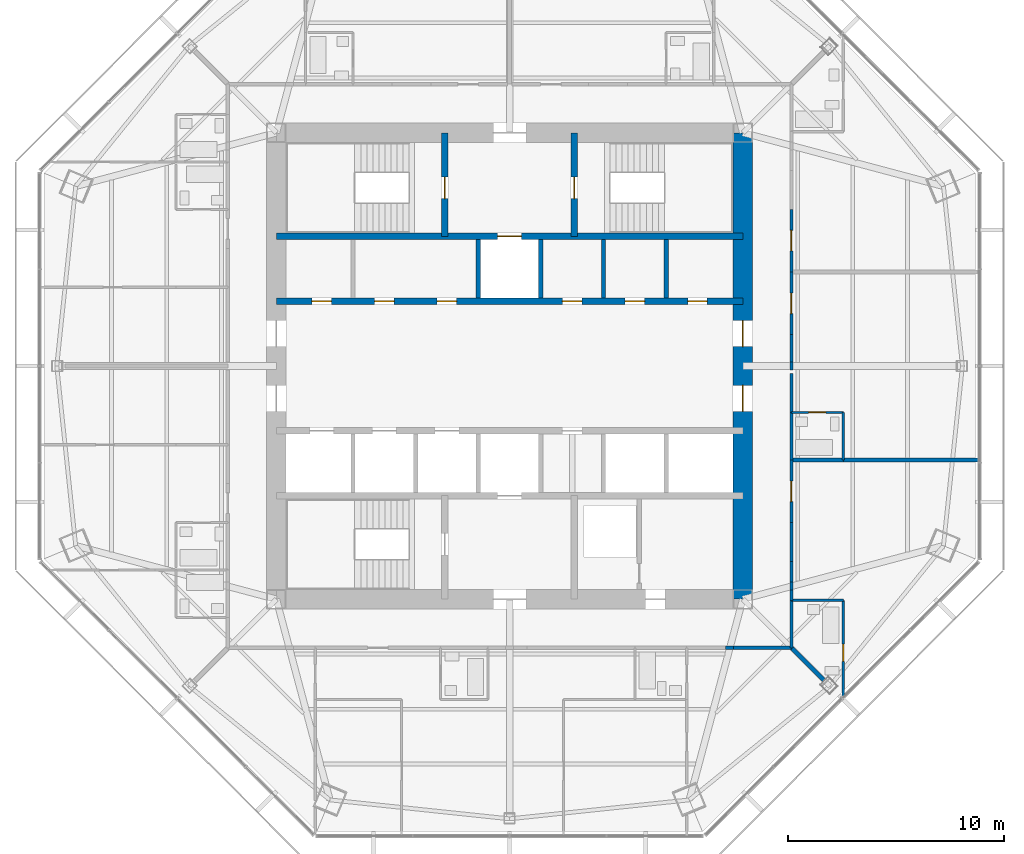
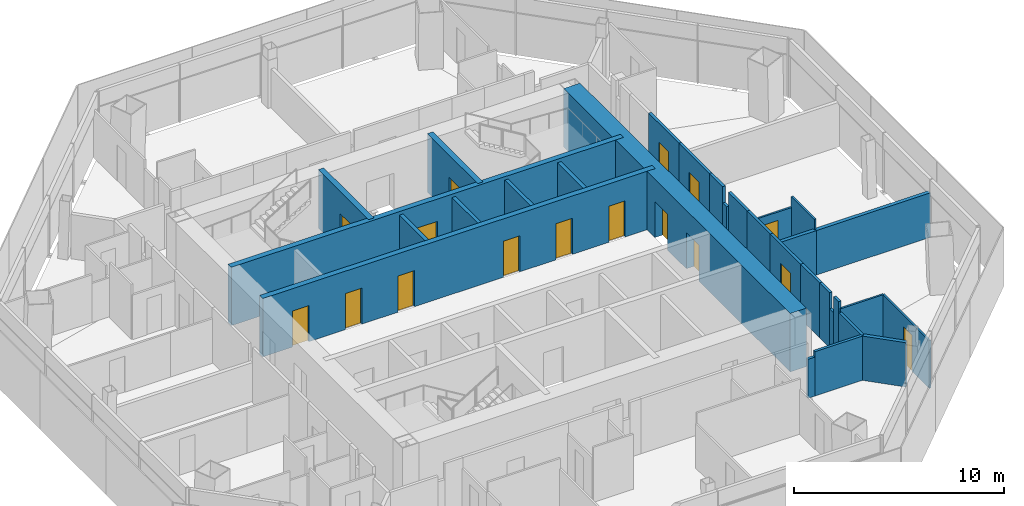
# One storey, part 11 of 15: 30 walls, 16 doors, 16 openings.
"""IFC4 building model written with IfcOpenShell, lengths in metres."""

from ifc_helpers import new_model, si_unit, direction, frame, frame_2d, origin, place, context, subcontext, project, spatial, rectangle, extrude, material, layer, layer_set, type_object, element, fill, save


model = new_model("IFC4")

# Units and contexts
model_context = context("Model", 3, precision=1e-05, world=origin(), true_north=direction((0.0, 1.0)))
body_context = subcontext(model_context, "Body", "Model", "MODEL_VIEW")
ifc_project = project(units=[si_unit("LENGTHUNIT", "METRE"), si_unit("AREAUNIT", "SQUARE_METRE"), si_unit("VOLUMEUNIT", "CUBIC_METRE"), si_unit("PLANEANGLEUNIT", "RADIAN"), si_unit("MASSUNIT", "GRAM", prefix="KILO")], contexts=[model_context])

# Site, building, storey
site_placement = place(None, origin())
site = spatial("IfcSite", under=ifc_project, at=site_placement, CompositionType="ELEMENT")
building_placement = place(site_placement, origin())
building = spatial("IfcBuilding", under=site, at=building_placement, Name="Mashrafa Tower", CompositionType="ELEMENT")
storey_placement = place(building_placement, frame((0.0, 0.0, 221.0)))
storey = spatial("IfcBuildingStorey", under=building, at=storey_placement, Name="L51", CompositionType="ELEMENT", Elevation=221.0)

# Walls
ifc_material_1 = material(Name="Gypsum board on steel studs", Category="steel")
ifc_layer_1 = layer(ifc_material_1, 0.199951171875)
ifc_layer_set_1 = layer_set([ifc_layer_1], Name="Acoustic partition 200 1 hr")
wall_type_1 = type_object("IfcWallType", Name="Acoustic partition 200 1 hr", PredefinedType="PARTITIONING", material=ifc_layer_set_1)
wall_1_placement = place(storey_placement, frame((13.050048828125, -13.050048828125, 0.0), z_axis=(0.0, 0.0, 1.0), x_axis=(0.707106781187, -0.707106781187, 0.0)))
element("IfcWall", 1, at=wall_1_placement, inside=storey, type_object=wall_type_1, Name="Acoustic wall L51-063", PredefinedType="PARTITIONING", context=body_context, shape_type="SweptSolid", body=[
    extrude(rectangle(XDim=2.14208984375, YDim=0.199951171875, at=frame_2d((1.071044921875, 0.0))), origin(), (0.0, 0.0, 1.0), 2.577880859375),
])
wall_2_placement = place(storey_placement, frame((15.450927734375, -4.35009765625, 0.0), z_axis=(0.0, 0.0, 1.0), x_axis=(-1.0, 0.0, 0.0)))
element("IfcWall", 2, at=wall_2_placement, inside=storey, type_object=wall_type_1, Name="Acoustic wall L51-064", PredefinedType="PARTITIONING", context=body_context, shape_type="SweptSolid", body=[
    extrude(rectangle(XDim=2.40087890625, YDim=0.199951171875, at=frame_2d((1.200439453125, 0.0))), origin(), (0.0, 0.0, 1.0), 2.590576171875),
])
wall_3_placement = place(storey_placement, frame((21.744873046875, -4.35009765625, 0.0), z_axis=(0.0, 0.0, 1.0), x_axis=(-1.0, 0.0, 0.0)))
element("IfcWall", 3, at=wall_3_placement, inside=storey, type_object=wall_type_1, Name="Acoustic wall L51-065", PredefinedType="PARTITIONING", context=body_context, shape_type="SweptSolid", body=[
    extrude(rectangle(XDim=6.2958984375, YDim=0.199951171875, at=frame_2d((3.14794921875, 0.0))), origin(), (0.0, 0.0, 1.0), 2.590576171875),
])

# Wall, openings, doors
ifc_material_2 = material(Name="Concrete C50/60", Category="concrete")
ifc_layer_2 = layer(ifc_material_2, 0.300048828125)
ifc_layer_set_2 = layer_set([ifc_layer_2], Name="Core wall 300 C50/60")
wall_type_2 = type_object("IfcWallType", Name="Core wall 300 C50/60", PredefinedType="SOLIDWALL", material=ifc_layer_set_2)
wall_4_placement = place(storey_placement, frame((-10.800048828125, 3.0, 0.0), z_axis=(0.0, 0.0, 1.0), x_axis=(1.0, 0.0, 0.0)))
wall_4 = element("IfcWall", 4, at=wall_4_placement, inside=storey, type_object=wall_type_2, Name="Core wall CH-N L51", PredefinedType="SOLIDWALL", context=body_context, shape_type="SweptSolid", body=[
    extrude(rectangle(XDim=21.60009765625, YDim=0.300048828125, at=frame_2d((10.800048828125, 0.0))), origin(), (0.0, 0.0, 1.0), 3.39990234375),
])
opening_1_placement = place(wall_4_placement, frame((1.64990234375, 0.0, 0.0)))
opening_1 = element("IfcOpeningElement", 5, at=opening_1_placement, cuts=wall_4, Name="Opening 51.041", PredefinedType="OPENING", context=body_context, shape_type="SweptSolid", body=[
    extrude(rectangle(XDim=0.89990234375, YDim=2.10009765625, at=frame_2d((0.449951171875, 1.050048828125))), frame((0.0, 0.159912109375, 0.0), z_axis=(0.0, -1.0, 0.0), x_axis=(1.0, 0.0, 0.0)), (0.0, 0.0, 1.0), 0.320068359375),
])
opening_2_placement = place(wall_4_placement, frame((4.550048828125, 0.0, 0.0)))
opening_2 = element("IfcOpeningElement", 6, at=opening_2_placement, cuts=wall_4, Name="Opening 51.042", PredefinedType="OPENING", context=body_context, shape_type="SweptSolid", body=[
    extrude(rectangle(XDim=0.89990234375, YDim=2.10009765625, at=frame_2d((0.449951171875, 1.050048828125))), frame((0.0, 0.159912109375, 0.0), z_axis=(0.0, -1.0, 0.0), x_axis=(1.0, 0.0, 0.0)), (0.0, 0.0, 1.0), 0.320068359375),
])
opening_3_placement = place(wall_4_placement, frame((7.449951171875, 0.0, 0.0)))
opening_3 = element("IfcOpeningElement", 7, at=opening_3_placement, cuts=wall_4, Name="Opening 51.043", PredefinedType="OPENING", context=body_context, shape_type="SweptSolid", body=[
    extrude(rectangle(XDim=0.89990234375, YDim=2.10009765625, at=frame_2d((0.449951171875, 1.050048828125))), frame((0.0, 0.159912109375, 0.0), z_axis=(0.0, -1.0, 0.0), x_axis=(1.0, 0.0, 0.0)), (0.0, 0.0, 1.0), 0.320068359375),
])
opening_4_placement = place(wall_4_placement, frame((13.25, 0.0, 0.0)))
opening_4 = element("IfcOpeningElement", 8, at=opening_4_placement, cuts=wall_4, Name="Opening 51.044", PredefinedType="OPENING", context=body_context, shape_type="SweptSolid", body=[
    extrude(rectangle(XDim=0.89990234375, YDim=2.10009765625, at=frame_2d((0.449951171875, 1.050048828125))), frame((0.0, 0.159912109375, 0.0), z_axis=(0.0, -1.0, 0.0), x_axis=(1.0, 0.0, 0.0)), (0.0, 0.0, 1.0), 0.320068359375),
])
opening_5_placement = place(wall_4_placement, frame((16.14990234375, 0.0, 0.0)))
opening_5 = element("IfcOpeningElement", 9, at=opening_5_placement, cuts=wall_4, Name="Opening 51.046", PredefinedType="OPENING", context=body_context, shape_type="SweptSolid", body=[
    extrude(rectangle(XDim=0.89990234375, YDim=2.10009765625, at=frame_2d((0.449951171875, 1.050048828125))), frame((0.0, 0.159912109375, 0.0), z_axis=(0.0, -1.0, 0.0), x_axis=(1.0, 0.0, 0.0)), (0.0, 0.0, 1.0), 0.320068359375),
])
opening_6_placement = place(wall_4_placement, frame((19.050048828125, 0.0, 0.0)))
opening_6 = element("IfcOpeningElement", 10, at=opening_6_placement, cuts=wall_4, Name="Opening 51.047", PredefinedType="OPENING", context=body_context, shape_type="SweptSolid", body=[
    extrude(rectangle(XDim=0.89990234375, YDim=2.10009765625, at=frame_2d((0.449951171875, 1.050048828125))), frame((0.0, 0.159912109375, 0.0), z_axis=(0.0, -1.0, 0.0), x_axis=(1.0, 0.0, 0.0)), (0.0, 0.0, 1.0), 0.320068359375),
])
ifc_material_3 = material(Name="Timber door", Category="wood")
door_type_1 = type_object("IfcDoorType", Name="Store door 900 x 2100", OperationType="USERDEFINED", PredefinedType="DOOR", material=ifc_material_3)
door_1_placement = place(opening_1_placement, origin())
door_1 = element("IfcDoor", 11, at=door_1_placement, inside=storey, type_object=door_type_1, Name="Refuse Chute Room L51 door", OperationType="SINGLE_SWING_RIGHT", OverallHeight=2.10009765625, OverallWidth=0.89990234375, PredefinedType="DOOR", context=body_context, shape_type="SweptSolid", body=[
    extrude(rectangle(XDim=0.89990234375, YDim=2.10009765625, at=frame_2d((0.449951171875, 1.050048828125))), frame((0.0, 0.02490234375, 0.0), z_axis=(0.0, -1.0, 0.0), x_axis=(1.0, 0.0, 0.0)), (0.0, 0.0, 1.0), 0.050048828125),
])
fill(opening_1, door_1)
door_2_placement = place(opening_2_placement, origin())
door_2 = element("IfcDoor", 12, at=door_2_placement, inside=storey, type_object=door_type_1, Name="Housekeeping and Linen Room L51 door", OperationType="SINGLE_SWING_LEFT", OverallHeight=2.10009765625, OverallWidth=0.89990234375, PredefinedType="DOOR", context=body_context, shape_type="SweptSolid", body=[
    extrude(rectangle(XDim=0.89990234375, YDim=2.10009765625, at=frame_2d((0.449951171875, 1.050048828125))), frame((0.0, 0.02490234375, 0.0), z_axis=(0.0, -1.0, 0.0), x_axis=(1.0, 0.0, 0.0)), (0.0, 0.0, 1.0), 0.050048828125),
])
fill(opening_2, door_2)
door_3_placement = place(opening_3_placement, origin())
door_3 = element("IfcDoor", 13, at=door_3_placement, inside=storey, type_object=door_type_1, Name="Housekeeping and Linen Room L51 door", OperationType="SINGLE_SWING_RIGHT", OverallHeight=2.10009765625, OverallWidth=0.89990234375, PredefinedType="DOOR", context=body_context, shape_type="SweptSolid", body=[
    extrude(rectangle(XDim=0.89990234375, YDim=2.10009765625, at=frame_2d((0.449951171875, 1.050048828125))), frame((0.0, 0.02490234375, 0.0), z_axis=(0.0, -1.0, 0.0), x_axis=(1.0, 0.0, 0.0)), (0.0, 0.0, 1.0), 0.050048828125),
])
fill(opening_3, door_3)
door_4_placement = place(opening_4_placement, origin())
door_4 = element("IfcDoor", 14, at=door_4_placement, inside=storey, type_object=door_type_1, Name="Cleaner's Store L51 door", OperationType="SINGLE_SWING_LEFT", OverallHeight=2.10009765625, OverallWidth=0.89990234375, PredefinedType="DOOR", context=body_context, shape_type="SweptSolid", body=[
    extrude(rectangle(XDim=0.89990234375, YDim=2.10009765625, at=frame_2d((0.449951171875, 1.050048828125))), frame((0.0, 0.02490234375, 0.0), z_axis=(0.0, -1.0, 0.0), x_axis=(1.0, 0.0, 0.0)), (0.0, 0.0, 1.0), 0.050048828125),
])
fill(opening_4, door_4)
door_5_placement = place(opening_5_placement, origin())
door_5 = element("IfcDoor", 15, at=door_5_placement, inside=storey, type_object=door_type_1, Name="Residents' Store L51-K1 door", OperationType="SINGLE_SWING_LEFT", OverallHeight=2.10009765625, OverallWidth=0.89990234375, PredefinedType="DOOR", context=body_context, shape_type="SweptSolid", body=[
    extrude(rectangle(XDim=0.89990234375, YDim=2.10009765625, at=frame_2d((0.449951171875, 1.050048828125))), frame((0.0, 0.02490234375, 0.0), z_axis=(0.0, -1.0, 0.0), x_axis=(1.0, 0.0, 0.0)), (0.0, 0.0, 1.0), 0.050048828125),
])
fill(opening_5, door_5)
door_6_placement = place(opening_6_placement, origin())
door_6 = element("IfcDoor", 16, at=door_6_placement, inside=storey, type_object=door_type_1, Name="Residents' Store L51-K2 door", OperationType="SINGLE_SWING_LEFT", OverallHeight=2.10009765625, OverallWidth=0.89990234375, PredefinedType="DOOR", context=body_context, shape_type="SweptSolid", body=[
    extrude(rectangle(XDim=0.89990234375, YDim=2.10009765625, at=frame_2d((0.449951171875, 1.050048828125))), frame((0.0, 0.02490234375, 0.0), z_axis=(0.0, -1.0, 0.0), x_axis=(1.0, 0.0, 0.0)), (0.0, 0.0, 1.0), 0.050048828125),
])
fill(opening_6, door_6)

# Wall, opening, door
wall_5_placement = place(storey_placement, frame((-10.800048828125, 6.0, 0.0), z_axis=(0.0, 0.0, 1.0), x_axis=(1.0, 0.0, 0.0)))
wall_5 = element("IfcWall", 17, at=wall_5_placement, inside=storey, type_object=wall_type_2, Name="Core wall CB-N L51", PredefinedType="SOLIDWALL", context=body_context, shape_type="SweptSolid", body=[
    extrude(rectangle(XDim=21.60009765625, YDim=0.300048828125, at=frame_2d((10.800048828125, 0.0))), origin(), (0.0, 0.0, 1.0), 3.39990234375),
])
opening_7_placement = place(wall_5_placement, frame((10.25, 0.0, 0.0)))
opening_7 = element("IfcOpeningElement", 18, at=opening_7_placement, cuts=wall_5, Name="Opening 51.F1", PredefinedType="OPENING", context=body_context, shape_type="SweptSolid", body=[
    extrude(rectangle(XDim=1.10009765625, YDim=2.10009765625, at=frame_2d((0.550048828125, 1.050048828125))), frame((0.0, 0.159912109375, 0.0), z_axis=(0.0, -1.0, 0.0), x_axis=(1.0, 0.0, 0.0)), (0.0, 0.0, 1.0), 0.320068359375),
])
ifc_material_4 = material(Name="Steel door", Category="steel")
door_type_2 = type_object("IfcDoorType", Name="Lift landing door 1100 x 2100 90 min", OperationType="DOUBLE_DOOR_SLIDING", PredefinedType="DOOR", material=ifc_material_4)
door_7_placement = place(opening_7_placement, origin())
door_7 = element("IfcDoor", 19, at=door_7_placement, inside=storey, type_object=door_type_2, Name="Lift landing door F1 L51", OperationType="DOUBLE_DOOR_SLIDING", OverallHeight=2.10009765625, OverallWidth=1.10009765625, PredefinedType="DOOR", context=body_context, shape_type="SweptSolid", body=[
    extrude(rectangle(XDim=1.10009765625, YDim=2.10009765625, at=frame_2d((0.550048828125, 1.050048828125))), frame((0.0, 0.02490234375, 0.0), z_axis=(0.0, -1.0, 0.0), x_axis=(1.0, 0.0, 0.0)), (0.0, 0.0, 1.0), 0.050048828125),
])
fill(opening_7, door_7)

wall_6_placement = place(storey_placement, frame((-3.0, 6.0, 0.0), z_axis=(0.0, 0.0, 1.0), x_axis=(0.0, 1.0, 0.0)))
wall_6 = element("IfcWall", 20, at=wall_6_placement, inside=storey, type_object=wall_type_2, Name="Core wall CX-NW L51", PredefinedType="SOLIDWALL", context=body_context, shape_type="SweptSolid", body=[
    extrude(rectangle(XDim=4.800048828125, YDim=0.300048828125, at=frame_2d((2.39990234375, 0.0))), origin(), (0.0, 0.0, 1.0), 3.39990234375),
])
opening_8_placement = place(wall_6_placement, frame((1.75, 0.0, 0.0)))
opening_8 = element("IfcOpeningElement", 21, at=opening_8_placement, cuts=wall_6, Name="Opening 51.036", PredefinedType="OPENING", context=body_context, shape_type="SweptSolid", body=[
    extrude(rectangle(XDim=1.0, YDim=2.10009765625, at=frame_2d((0.5, 1.050048828125))), frame((0.0, 0.159912109375, 0.0), z_axis=(0.0, -1.0, 0.0), x_axis=(1.0, 0.0, 0.0)), (0.0, 0.0, 1.0), 0.320068359375),
])
ifc_material_5 = material(Name="Steel door", Category="steel")
door_type_3 = type_object("IfcDoorType", Name="Stair door 1000 x 2100 90 min", OperationType="USERDEFINED", PredefinedType="DOOR", material=ifc_material_5)
door_8_placement = place(opening_8_placement, origin())
door_8 = element("IfcDoor", 22, at=door_8_placement, inside=storey, type_object=door_type_3, Name="Stair S1 door L51", OperationType="SINGLE_SWING_LEFT", OverallHeight=2.10009765625, OverallWidth=1.0, PredefinedType="DOOR", context=body_context, shape_type="SweptSolid", body=[
    extrude(rectangle(XDim=1.0, YDim=2.10009765625, at=frame_2d((0.5, 1.050048828125))), frame((0.0, 0.02490234375, 0.0), z_axis=(0.0, -1.0, 0.0), x_axis=(1.0, 0.0, 0.0)), (0.0, 0.0, 1.0), 0.050048828125),
])
fill(opening_8, door_8)

wall_7_placement = place(storey_placement, frame((3.0, 6.0, 0.0), z_axis=(0.0, 0.0, 1.0), x_axis=(0.0, 1.0, 0.0)))
wall_7 = element("IfcWall", 23, at=wall_7_placement, inside=storey, type_object=wall_type_2, Name="Core wall CX-NE L51", PredefinedType="SOLIDWALL", context=body_context, shape_type="SweptSolid", body=[
    extrude(rectangle(XDim=4.800048828125, YDim=0.300048828125, at=frame_2d((2.39990234375, 0.0))), origin(), (0.0, 0.0, 1.0), 3.39990234375),
])
opening_9_placement = place(wall_7_placement, frame((1.75, 0.0, 0.0)))
opening_9 = element("IfcOpeningElement", 24, at=opening_9_placement, cuts=wall_7, Name="Opening 51.037", PredefinedType="OPENING", context=body_context, shape_type="SweptSolid", body=[
    extrude(rectangle(XDim=1.0, YDim=2.10009765625, at=frame_2d((0.5, 1.050048828125))), frame((0.0, 0.159912109375, 0.0), z_axis=(0.0, -1.0, 0.0), x_axis=(1.0, 0.0, 0.0)), (0.0, 0.0, 1.0), 0.320068359375),
])
door_9_placement = place(opening_9_placement, frame((1.0, 0.0, 0.0), z_axis=(0.0, 0.0, 1.0), x_axis=(-1.0, 0.0, 0.0)))
door_9 = element("IfcDoor", 25, at=door_9_placement, inside=storey, type_object=door_type_3, Name="Stair S2 door L51", OperationType="SINGLE_SWING_RIGHT", OverallHeight=2.10009765625, OverallWidth=1.0, PredefinedType="DOOR", context=body_context, shape_type="SweptSolid", body=[
    extrude(rectangle(XDim=1.0, YDim=2.10009765625, at=frame_2d((0.5, 1.050048828125))), frame((0.0, 0.02490234375, 0.0), z_axis=(0.0, -1.0, 0.0), x_axis=(1.0, 0.0, 0.0)), (0.0, 0.0, 1.0), 0.050048828125),
])
fill(opening_9, door_9)

# Wall, openings, doors
ifc_material_6 = material(Name="Concrete C50/60", Category="concrete")
ifc_layer_3 = layer(ifc_material_6, 0.89990234375)
ifc_layer_set_3 = layer_set([ifc_layer_3], Name="Core wall 900 C50/60")
wall_type_3 = type_object("IfcWallType", Name="Core wall 900 C50/60", PredefinedType="SOLIDWALL", material=ifc_layer_set_3)
wall_8_placement = place(storey_placement, frame((10.800048828125, -10.800048828125, 0.0), z_axis=(0.0, 0.0, 1.0), x_axis=(0.0, 1.0, 0.0)))
wall_8 = element("IfcWall", 26, at=wall_8_placement, inside=storey, type_object=wall_type_3, Name="Core wall CW-E L51", PredefinedType="SOLIDWALL", context=body_context, shape_type="SweptSolid", body=[
    extrude(rectangle(XDim=21.60009765625, YDim=0.89990234375, at=frame_2d((10.800048828125, 0.0))), origin(), (0.0, 0.0, 1.0), 3.39990234375),
])
opening_10_placement = place(wall_8_placement, frame((11.699951171875, 0.0, 0.0)))
opening_10 = element("IfcOpeningElement", 27, at=opening_10_placement, cuts=wall_8, Name="Opening 51.030", PredefinedType="OPENING", context=body_context, shape_type="SweptSolid", body=[
    extrude(rectangle(XDim=1.199951171875, YDim=2.10009765625, at=frame_2d((0.60009765625, 1.050048828125))), frame((0.0, 0.4599609375, 0.0), z_axis=(0.0, -1.0, 0.0), x_axis=(1.0, 0.0, 0.0)), (0.0, 0.0, 1.0), 0.919921875),
])
opening_11_placement = place(wall_8_placement, frame((8.699951171875, 0.0, 0.0)))
opening_11 = element("IfcOpeningElement", 28, at=opening_11_placement, cuts=wall_8, Name="Opening 51.032", PredefinedType="OPENING", context=body_context, shape_type="SweptSolid", body=[
    extrude(rectangle(XDim=1.199951171875, YDim=2.10009765625, at=frame_2d((0.60009765625, 1.050048828125))), frame((0.0, 0.4599609375, 0.0), z_axis=(0.0, -1.0, 0.0), x_axis=(1.0, 0.0, 0.0)), (0.0, 0.0, 1.0), 0.919921875),
])
ifc_material_7 = material(Name="Steel door", Category="steel")
door_type_4 = type_object("IfcDoorType", Name="Lift hall door 1200 x 2100 90 min", OperationType="USERDEFINED", PredefinedType="DOOR", material=ifc_material_7)
door_10_placement = place(opening_10_placement, frame((1.199951171875, 0.0, 0.0), z_axis=(0.0, 0.0, 1.0), x_axis=(-1.0, 0.0, 0.0)))
door_10 = element("IfcDoor", 29, at=door_10_placement, inside=storey, type_object=door_type_4, Name="Lift hall door east L51", OperationType="SINGLE_SWING_LEFT", OverallHeight=2.10009765625, OverallWidth=1.199951171875, PredefinedType="DOOR", context=body_context, shape_type="SweptSolid", body=[
    extrude(rectangle(XDim=1.199951171875, YDim=2.10009765625, at=frame_2d((0.60009765625, 1.050048828125))), frame((0.0, 0.02490234375, 0.0), z_axis=(0.0, -1.0, 0.0), x_axis=(1.0, 0.0, 0.0)), (0.0, 0.0, 1.0), 0.050048828125),
])
fill(opening_10, door_10)
door_11_placement = place(opening_11_placement, frame((1.199951171875, 0.0, 0.0), z_axis=(0.0, 0.0, 1.0), x_axis=(-1.0, 0.0, 0.0)))
door_11 = element("IfcDoor", 30, at=door_11_placement, inside=storey, type_object=door_type_4, Name="Lift hall door east L51", OperationType="SINGLE_SWING_RIGHT", OverallHeight=2.10009765625, OverallWidth=1.199951171875, PredefinedType="DOOR", context=body_context, shape_type="SweptSolid", body=[
    extrude(rectangle(XDim=1.199951171875, YDim=2.10009765625, at=frame_2d((0.60009765625, 1.050048828125))), frame((0.0, 0.02490234375, 0.0), z_axis=(0.0, -1.0, 0.0), x_axis=(1.0, 0.0, 0.0)), (0.0, 0.0, 1.0), 0.050048828125),
])
fill(opening_11, door_11)

# Walls
ifc_material_8 = material(Name="Gypsum board on steel studs", Category="steel")
ifc_layer_4 = layer(ifc_material_8, 0.14990234375)
ifc_layer_set_4 = layer_set([ifc_layer_4], Name="Corridor partition 150 1 hr")
wall_type_4 = type_object("IfcWallType", Name="Corridor partition 150 1 hr", PredefinedType="PARTITIONING", material=ifc_layer_set_4)
wall_9_placement = place(storey_placement, frame((13.050048828125, -13.050048828125, 0.0), z_axis=(0.0, 0.0, 1.0), x_axis=(0.0, 1.0, 0.0)))
element("IfcWall", 31, at=wall_9_placement, inside=storey, type_object=wall_type_4, Name="Corridor wall L51-001", PredefinedType="PARTITIONING", context=body_context, shape_type="SweptSolid", body=[
    extrude(rectangle(XDim=2.200927734375, YDim=0.14990234375, at=frame_2d((1.1005859375, 0.0))), origin(), (0.0, 0.0, 1.0), 2.577880859375),
])
wall_10_placement = place(storey_placement, frame((13.050048828125, -9.051025390625, 0.0), z_axis=(0.0, 0.0, 1.0), x_axis=(0.0, 1.0, 0.0)))
element("IfcWall", 32, at=wall_10_placement, inside=storey, type_object=wall_type_4, Name="Corridor wall L51-002", PredefinedType="PARTITIONING", context=body_context, shape_type="SweptSolid", body=[
    extrude(rectangle(XDim=1.802001953125, YDim=0.14990234375, at=frame_2d((0.90087890625, 0.0))), origin(), (0.0, 0.0, 1.0), 3.199951171875),
])
wall_11_placement = place(storey_placement, frame((13.050048828125, -10.85107421875, 0.0), z_axis=(0.0, 0.0, 1.0), x_axis=(0.0, 1.0, 0.0)))
element("IfcWall", 33, at=wall_11_placement, inside=storey, type_object=wall_type_4, Name="Corridor wall L51-003", PredefinedType="PARTITIONING", context=body_context, shape_type="SweptSolid", body=[
    extrude(rectangle(XDim=0.478271484375, YDim=0.14990234375, at=frame_2d((0.2392578125, 0.0))), origin(), (0.0, 0.0, 1.0), 3.199951171875),
])
wall_12_placement = place(storey_placement, frame((13.050048828125, -9.99462890625, 0.0), z_axis=(0.0, 0.0, 1.0), x_axis=(0.0, 1.0, 0.0)))
element("IfcWall", 34, at=wall_12_placement, inside=storey, type_object=wall_type_4, Name="Corridor wall L51-004", PredefinedType="PARTITIONING", context=body_context, shape_type="SweptSolid", body=[
    extrude(rectangle(XDim=0.945556640625, YDim=0.14990234375, at=frame_2d((0.47265625, 0.0))), origin(), (0.0, 0.0, 1.0), 3.199951171875),
])
wall_13_placement = place(storey_placement, frame((13.050048828125, -10.372802734375, 0.0), z_axis=(0.0, 0.0, 1.0), x_axis=(0.0, 1.0, 0.0)))
element("IfcWall", 35, at=wall_13_placement, inside=storey, type_object=wall_type_4, Name="Corridor wall L51-005", PredefinedType="PARTITIONING", context=body_context, shape_type="SweptSolid", body=[
    extrude(rectangle(XDim=0.378173828125, YDim=0.14990234375, at=frame_2d((0.18896484375, 0.0))), origin(), (0.0, 0.0, 1.0), 2.26806640625),
])

# Wall, opening, door
wall_14_placement = place(storey_placement, frame((13.050048828125, -7.2509765625, 0.0), z_axis=(0.0, 0.0, 1.0), x_axis=(0.0, 1.0, 0.0)))
wall_14 = element("IfcWall", 36, at=wall_14_placement, inside=storey, type_object=wall_type_4, Name="Corridor wall L51-006", PredefinedType="PARTITIONING", context=body_context, shape_type="SweptSolid", body=[
    extrude(rectangle(XDim=2.90185546875, YDim=0.14990234375, at=frame_2d((1.450927734375, 0.0))), origin(), (0.0, 0.0, 1.0), 3.199951171875),
])
opening_12_placement = place(wall_14_placement, frame((0.97607421875, 0.0, 0.0)))
opening_12 = element("IfcOpeningElement", 37, at=opening_12_placement, cuts=wall_14, Name="Opening 51.002", PredefinedType="OPENING", context=body_context, shape_type="SweptSolid", body=[
    extrude(rectangle(XDim=0.949951171875, YDim=2.10009765625, at=frame_2d((0.47509765625, 1.050048828125))), frame((0.0, 0.0849609375, 0.0), z_axis=(0.0, -1.0, 0.0), x_axis=(1.0, 0.0, 0.0)), (0.0, 0.0, 1.0), 0.169921875),
])
ifc_material_9 = material(Name="Steel door", Category="steel")
door_type_5 = type_object("IfcDoorType", Name="Residence entrance door 950 x 2100 20 min", OperationType="USERDEFINED", PredefinedType="DOOR", material=ifc_material_9)
door_12_placement = place(opening_12_placement, frame((0.949951171875, 0.0, 0.0), z_axis=(0.0, 0.0, 1.0), x_axis=(-1.0, 0.0, 0.0)))
door_12 = element("IfcDoor", 38, at=door_12_placement, inside=storey, type_object=door_type_5, Name="Apartment 5101 Studio Living Room door", OperationType="SINGLE_SWING_LEFT", OverallHeight=2.10009765625, OverallWidth=0.949951171875, PredefinedType="DOOR", context=body_context, shape_type="SweptSolid", body=[
    extrude(rectangle(XDim=0.949951171875, YDim=2.10009765625, at=frame_2d((0.47509765625, 1.050048828125))), frame((0.0, 0.02490234375, 0.0), z_axis=(0.0, -1.0, 0.0), x_axis=(1.0, 0.0, 0.0)), (0.0, 0.0, 1.0), 0.050048828125),
])
fill(opening_12, door_12)

# Walls
wall_15_placement = place(storey_placement, frame((13.050048828125, -4.35107421875, 0.0), z_axis=(0.0, 0.0, 1.0), x_axis=(0.0, 1.0, 0.0)))
element("IfcWall", 39, at=wall_15_placement, inside=storey, type_object=wall_type_4, Name="Corridor wall L51-007", PredefinedType="PARTITIONING", context=body_context, shape_type="SweptSolid", body=[
    extrude(rectangle(XDim=2.2021484375, YDim=0.14990234375, at=frame_2d((1.10107421875, 0.0))), origin(), (0.0, 0.0, 1.0), 3.199951171875),
])
wall_16_placement = place(storey_placement, frame((13.050048828125, 0.18359375, 0.0), z_axis=(0.0, 0.0, 1.0), x_axis=(0.0, 1.0, 0.0)))
element("IfcWall", 40, at=wall_16_placement, inside=storey, type_object=wall_type_4, Name="Corridor wall L51-008", PredefinedType="PARTITIONING", context=body_context, shape_type="SweptSolid", body=[
    extrude(rectangle(XDim=1.267333984375, YDim=0.14990234375, at=frame_2d((0.6337890625, 0.0))), origin(), (0.0, 0.0, 1.0), 3.199951171875),
])
wall_17_placement = place(storey_placement, frame((13.050048828125, -0.18359375, 0.0), z_axis=(0.0, 0.0, 1.0), x_axis=(0.0, 1.0, 0.0)))
element("IfcWall", 41, at=wall_17_placement, inside=storey, type_object=wall_type_4, Name="Corridor wall L51-009", PredefinedType="PARTITIONING", context=body_context, shape_type="SweptSolid", body=[
    extrude(rectangle(XDim=0.3671875, YDim=0.14990234375, at=frame_2d((0.18359375, 0.0))), origin(), (0.0, 0.0, 1.0), 2.2529296875),
])
wall_18_placement = place(storey_placement, frame((13.050048828125, -2.15087890625, 0.0), z_axis=(0.0, 0.0, 1.0), x_axis=(0.0, 1.0, 0.0)))
element("IfcWall", 42, at=wall_18_placement, inside=storey, type_object=wall_type_4, Name="Corridor wall L51-010", PredefinedType="PARTITIONING", context=body_context, shape_type="SweptSolid", body=[
    extrude(rectangle(XDim=1.8017578125, YDim=0.14990234375, at=frame_2d((0.90087890625, 0.0))), origin(), (0.0, 0.0, 1.0), 3.199951171875),
])

# Wall, opening, door
wall_19_placement = place(storey_placement, frame((13.050048828125, 1.448974609375, 0.0), z_axis=(0.0, 0.0, 1.0), x_axis=(0.0, 1.0, 0.0)))
wall_19 = element("IfcWall", 43, at=wall_19_placement, inside=storey, type_object=wall_type_4, Name="Corridor wall L51-011", PredefinedType="PARTITIONING", context=body_context, shape_type="SweptSolid", body=[
    extrude(rectangle(XDim=2.902099609375, YDim=0.14990234375, at=frame_2d((1.451171875, 0.0))), origin(), (0.0, 0.0, 1.0), 3.199951171875),
])
opening_13_placement = place(wall_19_placement, frame((0.97607421875, 0.0, 0.0)))
opening_13 = element("IfcOpeningElement", 44, at=opening_13_placement, cuts=wall_19, Name="Opening 51.004", PredefinedType="OPENING", context=body_context, shape_type="SweptSolid", body=[
    extrude(rectangle(XDim=0.949951171875, YDim=2.10009765625, at=frame_2d((0.47509765625, 1.050048828125))), frame((0.0, 0.0849609375, 0.0), z_axis=(0.0, -1.0, 0.0), x_axis=(1.0, 0.0, 0.0)), (0.0, 0.0, 1.0), 0.169921875),
])
door_13_placement = place(opening_13_placement, frame((0.949951171875, 0.0, 0.0), z_axis=(0.0, 0.0, 1.0), x_axis=(-1.0, 0.0, 0.0)))
door_13 = element("IfcDoor", 45, at=door_13_placement, inside=storey, type_object=door_type_5, Name="Apartment 5102 Studio Living Room door", OperationType="SINGLE_SWING_LEFT", OverallHeight=2.10009765625, OverallWidth=0.949951171875, PredefinedType="DOOR", context=body_context, shape_type="SweptSolid", body=[
    extrude(rectangle(XDim=0.949951171875, YDim=2.10009765625, at=frame_2d((0.47509765625, 1.050048828125))), frame((0.0, 0.02490234375, 0.0), z_axis=(0.0, -1.0, 0.0), x_axis=(1.0, 0.0, 0.0)), (0.0, 0.0, 1.0), 0.050048828125),
])
fill(opening_13, door_13)

wall_20_placement = place(storey_placement, frame((13.050048828125, 4.34912109375, 0.0), z_axis=(0.0, 0.0, 1.0), x_axis=(0.0, 1.0, 0.0)))
wall_20 = element("IfcWall", 46, at=wall_20_placement, inside=storey, type_object=wall_type_4, Name="Corridor wall L51-014", PredefinedType="PARTITIONING", context=body_context, shape_type="SweptSolid", body=[
    extrude(rectangle(XDim=2.90185546875, YDim=0.14990234375, at=frame_2d((1.450927734375, 0.0))), origin(), (0.0, 0.0, 1.0), 3.199951171875),
])
opening_14_placement = place(wall_20_placement, frame((0.97607421875, 0.0, 0.0)))
opening_14 = element("IfcOpeningElement", 47, at=opening_14_placement, cuts=wall_20, Name="Opening 51.006", PredefinedType="OPENING", context=body_context, shape_type="SweptSolid", body=[
    extrude(rectangle(XDim=0.949951171875, YDim=2.10009765625, at=frame_2d((0.47509765625, 1.050048828125))), frame((0.0, 0.0849609375, 0.0), z_axis=(0.0, -1.0, 0.0), x_axis=(1.0, 0.0, 0.0)), (0.0, 0.0, 1.0), 0.169921875),
])
door_14_placement = place(opening_14_placement, frame((0.949951171875, 0.0, 0.0), z_axis=(0.0, 0.0, 1.0), x_axis=(-1.0, 0.0, 0.0)))
door_14 = element("IfcDoor", 48, at=door_14_placement, inside=storey, type_object=door_type_5, Name="Apartment 5103 Studio Living Room door", OperationType="SINGLE_SWING_RIGHT", OverallHeight=2.10009765625, OverallWidth=0.949951171875, PredefinedType="DOOR", context=body_context, shape_type="SweptSolid", body=[
    extrude(rectangle(XDim=0.949951171875, YDim=2.10009765625, at=frame_2d((0.47509765625, 1.050048828125))), frame((0.0, 0.02490234375, 0.0), z_axis=(0.0, -1.0, 0.0), x_axis=(1.0, 0.0, 0.0)), (0.0, 0.0, 1.0), 0.050048828125),
])
fill(opening_14, door_14)

# Walls
wall_21_placement = place(storey_placement, frame((10.372802734375, -13.050048828125, 0.0), z_axis=(0.0, 0.0, 1.0), x_axis=(1.0, 0.0, 0.0)))
element("IfcWall", 49, at=wall_21_placement, inside=storey, type_object=wall_type_4, Name="Corridor wall L51-057", PredefinedType="PARTITIONING", context=body_context, shape_type="SweptSolid", body=[
    extrude(rectangle(XDim=2.67724609375, YDim=0.14990234375, at=frame_2d((1.338623046875, 0.0))), origin(), (0.0, 0.0, 1.0), 2.577880859375),
])
wall_22_placement = place(storey_placement, frame((9.99462890625, -13.050048828125, 0.0), z_axis=(0.0, 0.0, 1.0), x_axis=(1.0, 0.0, 0.0)))
element("IfcWall", 50, at=wall_22_placement, inside=storey, type_object=wall_type_4, Name="Corridor wall L51-058", PredefinedType="PARTITIONING", context=body_context, shape_type="SweptSolid", body=[
    extrude(rectangle(XDim=0.378173828125, YDim=0.14990234375, at=frame_2d((0.18896484375, 0.0))), origin(), (0.0, 0.0, 1.0), 2.26806640625),
])

# Wall, opening, door
ifc_material_10 = material(Name="Gypsum board on steel studs", Category="steel")
ifc_layer_5 = layer(ifc_material_10, 0.10009765625)
ifc_layer_set_5 = layer_set([ifc_layer_5], Name="Partition 100")
wall_type_5 = type_object("IfcWallType", Name="Partition 100", PredefinedType="PARTITIONING", material=ifc_layer_set_5)
wall_23_placement = place(storey_placement, frame((15.449951171875, -15.3056640625, 0.0), z_axis=(0.0, 0.0, 1.0), x_axis=(0.0, 1.0, 0.0)))
wall_23 = element("IfcWall", 51, at=wall_23_placement, inside=storey, type_object=wall_type_5, Name="Partition wall L51-061", PredefinedType="PARTITIONING", context=body_context, shape_type="SweptSolid", body=[
    extrude(rectangle(XDim=4.45556640625, YDim=0.10009765625, at=frame_2d((2.227783203125, 0.0))), origin(), (0.0, 0.0, 1.0), 2.78369140625),
])
opening_15_placement = place(wall_23_placement, frame((1.630859375, 0.0, 0.0)))
opening_15 = element("IfcOpeningElement", 52, at=opening_15_placement, cuts=wall_23, Name="Opening 51.001", PredefinedType="OPENING", context=body_context, shape_type="SweptSolid", body=[
    extrude(rectangle(XDim=0.800048828125, YDim=2.10009765625, at=frame_2d((0.39990234375, 1.050048828125))), frame((0.0, 0.06005859375, 0.0), z_axis=(0.0, -1.0, 0.0), x_axis=(1.0, 0.0, 0.0)), (0.0, 0.0, 1.0), 0.1201171875),
])
ifc_material_11 = material(Name="Timber door", Category="wood")
door_type_6 = type_object("IfcDoorType", Name="Bathroom door 800 x 2100", OperationType="USERDEFINED", PredefinedType="DOOR", material=ifc_material_11)
door_15_placement = place(opening_15_placement, origin())
door_15 = element("IfcDoor", 53, at=door_15_placement, inside=storey, type_object=door_type_6, Name="Apartment 5101 Bathroom door", OperationType="SINGLE_SWING_LEFT", OverallHeight=2.10009765625, OverallWidth=0.800048828125, PredefinedType="DOOR", context=body_context, shape_type="SweptSolid", body=[
    extrude(rectangle(XDim=0.800048828125, YDim=2.10009765625, at=frame_2d((0.39990234375, 1.050048828125))), frame((0.0, 0.02490234375, 0.0), z_axis=(0.0, -1.0, 0.0), x_axis=(1.0, 0.0, 0.0)), (0.0, 0.0, 1.0), 0.050048828125),
])
fill(opening_15, door_15)

# Walls
wall_24_placement = place(storey_placement, frame((15.449951171875, -10.85009765625, 0.0), z_axis=(0.0, 0.0, 1.0), x_axis=(-1.0, 0.0, 0.0)))
element("IfcWall", 54, at=wall_24_placement, inside=storey, type_object=wall_type_5, Name="Partition wall L51-062", PredefinedType="PARTITIONING", context=body_context, shape_type="SweptSolid", body=[
    extrude(rectangle(XDim=2.39990234375, YDim=0.10009765625, at=frame_2d((1.199951171875, 0.0))), origin(), (0.0, 0.0, 1.0), 2.7861328125),
])
wall_25_placement = place(storey_placement, frame((15.449951171875, -4.35009765625, 0.0), z_axis=(0.0, 0.0, 1.0), x_axis=(0.0, 1.0, 0.0)))
element("IfcWall", 55, at=wall_25_placement, inside=storey, type_object=wall_type_5, Name="Partition wall L51-066", PredefinedType="PARTITIONING", context=body_context, shape_type="SweptSolid", body=[
    extrude(rectangle(XDim=2.2001953125, YDim=0.10009765625, at=frame_2d((1.10009765625, 0.0))), origin(), (0.0, 0.0, 1.0), 3.199951171875),
])

# Wall, opening, door
wall_26_placement = place(storey_placement, frame((15.449951171875, -2.14990234375, 0.0), z_axis=(0.0, 0.0, 1.0), x_axis=(-1.0, 0.0, 0.0)))
wall_26 = element("IfcWall", 56, at=wall_26_placement, inside=storey, type_object=wall_type_5, Name="Partition wall L51-067", PredefinedType="PARTITIONING", context=body_context, shape_type="SweptSolid", body=[
    extrude(rectangle(XDim=2.39990234375, YDim=0.10009765625, at=frame_2d((1.199951171875, 0.0))), origin(), (0.0, 0.0, 1.0), 2.590576171875),
])
opening_16_placement = place(wall_26_placement, frame((0.800048828125, 0.0, 0.0)))
opening_16 = element("IfcOpeningElement", 57, at=opening_16_placement, cuts=wall_26, Name="Opening 51.003", PredefinedType="OPENING", context=body_context, shape_type="SweptSolid", body=[
    extrude(rectangle(XDim=0.800048828125, YDim=2.10009765625, at=frame_2d((0.39990234375, 1.050048828125))), frame((0.0, 0.06005859375, 0.0), z_axis=(0.0, -1.0, 0.0), x_axis=(1.0, 0.0, 0.0)), (0.0, 0.0, 1.0), 0.1201171875),
])
door_16_placement = place(opening_16_placement, origin())
door_16 = element("IfcDoor", 58, at=door_16_placement, inside=storey, type_object=door_type_6, Name="Apartment 5102 Bathroom door", OperationType="SINGLE_SWING_RIGHT", OverallHeight=2.10009765625, OverallWidth=0.800048828125, PredefinedType="DOOR", context=body_context, shape_type="SweptSolid", body=[
    extrude(rectangle(XDim=0.800048828125, YDim=2.10009765625, at=frame_2d((0.39990234375, 1.050048828125))), frame((0.0, 0.02490234375, 0.0), z_axis=(0.0, -1.0, 0.0), x_axis=(1.0, 0.0, 0.0)), (0.0, 0.0, 1.0), 0.050048828125),
])
fill(opening_16, door_16)

# Walls
ifc_material_12 = material(Name="Gypsum shaft wall on steel studs", Category="steel")
ifc_layer_6 = layer(ifc_material_12, 0.199951171875)
ifc_layer_set_6 = layer_set([ifc_layer_6], Name="Shaft divider wall 200 2 hr")
wall_type_6 = type_object("IfcWallType", Name="Shaft divider wall 200 2 hr", PredefinedType="PARTITIONING", material=ifc_layer_set_6)
for number, where, z_axis, x_axis, name in (
    (59, (-1.449951171875, 3.14990234375, 0.0), (0.0, 0.0, 1.0), (0.0, 1.0, 0.0), "Shaft divider wall N3 L51"),
    (60, (1.449951171875, 3.14990234375, 0.0), (0.0, 0.0, 1.0), (0.0, 1.0, 0.0), "Shaft divider wall N4 L51"),
    (61, (4.35009765625, 3.14990234375, 0.0), (0.0, 0.0, 1.0), (0.0, 1.0, 0.0), "Shaft divider wall N5 L51"),
    (62, (7.25, 3.14990234375, 0.0), (0.0, 0.0, 1.0), (0.0, 1.0, 0.0), "Shaft divider wall N6 L51"),
):
    element("IfcWall", number, at=place(storey_placement, frame(where, z_axis=z_axis, x_axis=x_axis)), inside=storey, type_object=wall_type_6, Name=name, PredefinedType="PARTITIONING", context=body_context, shape_type="SweptSolid", body=[
        extrude(rectangle(XDim=2.7001953125, YDim=0.199951171875, at=frame_2d((1.35009765625, 0.0))), origin(), (0.0, 0.0, 1.0), 3.199951171875),
    ])

save(model, "model.ifc")
